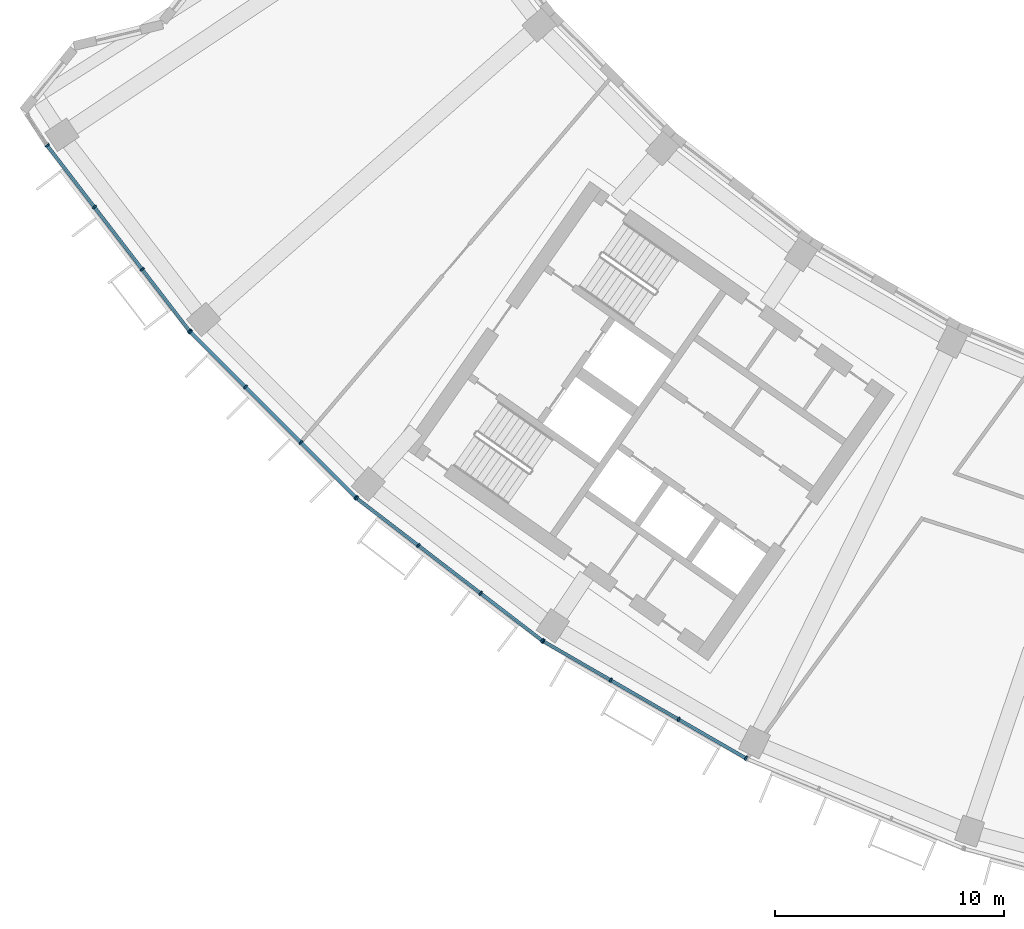
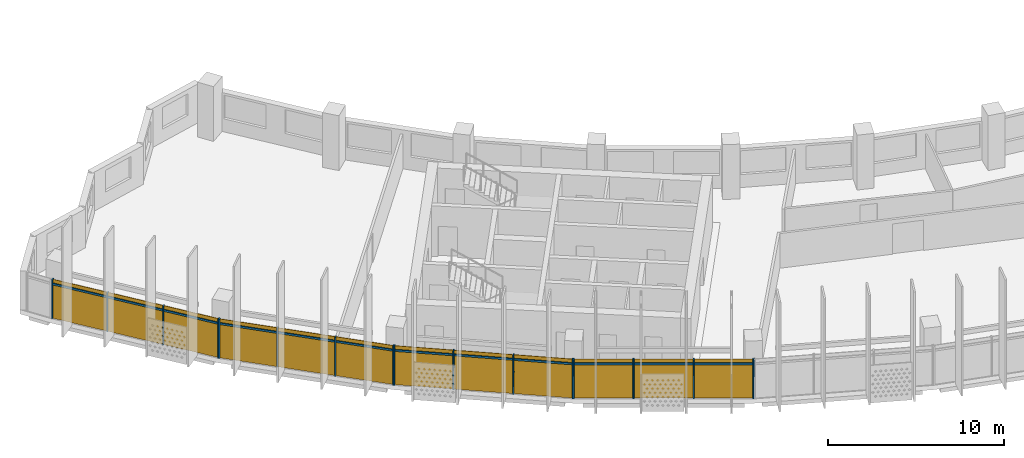
# One storey, part 17 of 27: 28 members, 4 curtain walls.
"""IFC4 building model written with IfcOpenShell, lengths in metres."""

import ifcopenshell
import ifcopenshell.guid

model = None  # the IFC model being written
_history = None  # IfcOwnerHistory: only IFC2X3 demands one
_inside = {}  # id of a spatial element -> (the spatial element, [elements in it])
_under = {}  # id of a project, library or spatial element -> (it, [spatial elements below it])
_declared = {}  # id of a project -> (the project, [libraries it declares])
_typed = {}  # id of a type object -> (the type object, [elements of that type])
_made_of = {}  # id of a material, layer set ... -> (it, [elements and type objects made of it])


def new_model(schema):
    """Start an empty IFC model of exactly this schema.

    Asked for "IFC4X3", IfcOpenShell would pick the latest addendum, in which some entities
    have other attributes; the version numbers below select the first issue.
    IFC2X3 requires an IfcOwnerHistory on every rooted entity: one is made here for all.
    """
    global model, _history
    if schema == "IFC4X3":
        model = ifcopenshell.file(schema_version=(4, 3, 0, 0))
    else:
        model = ifcopenshell.file(schema=schema)
    _inside.clear()
    _under.clear()
    _declared.clear()
    _typed.clear()
    _made_of.clear()
    _history = None
    if model.schema == "IFC2X3":
        org = make("IfcOrganization", Name="unknown")
        user = make(
            "IfcPersonAndOrganization",
            ThePerson=make("IfcPerson", FamilyName="unknown"),
            TheOrganization=org,
        )
        app = make(
            "IfcApplication",
            ApplicationDeveloper=org,
            Version="unknown",
            ApplicationFullName="unknown",
            ApplicationIdentifier="unknown",
        )
        _history = make(
            "IfcOwnerHistory",
            OwningUser=user,
            OwningApplication=app,
            ChangeAction="ADDED",
            CreationDate=0,
        )
    return model


def make(cls, **values):
    """One entity of the class cls with the attributes given. An attribute that is None is left unset."""
    return model.create_entity(
        cls, **{name: value for name, value in values.items() if value is not None}
    )


def rooted(cls, **values):
    """An entity with a GlobalId (a new one), such as an element, a storey or a relation."""
    return make(cls, GlobalId=ifcopenshell.guid.new(), OwnerHistory=_history, **values)


def si_unit(unit_type, name, prefix=None):
    """IfcSIUnit, for example si_unit("LENGTHUNIT", "METRE", prefix="MILLI")."""
    return make("IfcSIUnit", UnitType=unit_type, Prefix=prefix, Name=name)


def assignment(units):
    """IfcUnitAssignment: the units of a project."""
    return None if units is None else make("IfcUnitAssignment", Units=units)


def point(xyz):
    """IfcCartesianPoint."""
    return None if xyz is None else make("IfcCartesianPoint", Coordinates=xyz)


def direction(xyz):
    """IfcDirection."""
    return None if xyz is None else make("IfcDirection", DirectionRatios=xyz)


def frame(location, z_axis=None, x_axis=None):
    """IfcAxis2Placement3D, a coordinate frame: its origin and axes. An axis left out is left unset."""
    return make(
        "IfcAxis2Placement3D",
        Location=point(location),
        Axis=direction(z_axis),
        RefDirection=direction(x_axis),
    )


def frame_2d(location, x_axis=None):
    """IfcAxis2Placement2D, a coordinate frame in the plane: its origin and x axis."""
    return make(
        "IfcAxis2Placement2D", Location=point(location), RefDirection=direction(x_axis)
    )


def origin():
    """The frame at (0, 0, 0) with its axes left unset."""
    return frame((0.0, 0.0, 0.0))


def origin_2d():
    """The frame at (0, 0) in the plane with its x axis left unset."""
    return frame_2d((0.0, 0.0))


def place(relative_to, where):
    """IfcLocalPlacement: puts the frame where relative to a parent placement (None: the world)."""
    return make(
        "IfcLocalPlacement", PlacementRelTo=relative_to, RelativePlacement=where
    )


def context(
    kind, dimensions, precision=None, world=None, true_north=None, identifier=None
):
    """IfcGeometricRepresentationContext, for example the 3D "Model" context."""
    return make(
        "IfcGeometricRepresentationContext",
        ContextIdentifier=identifier,
        ContextType=kind,
        CoordinateSpaceDimension=dimensions,
        Precision=precision,
        WorldCoordinateSystem=world,
        TrueNorth=true_north,
    )


def subcontext(parent, identifier, kind, view, scale=None):
    """IfcGeometricRepresentationSubContext, for example "Body" below "Model"."""
    return make(
        "IfcGeometricRepresentationSubContext",
        ContextIdentifier=identifier,
        ContextType=kind,
        ParentContext=parent,
        TargetScale=scale,
        TargetView=view,
    )


def project(units=None, contexts=None):
    """IfcProject with its units and contexts."""
    return rooted(
        "IfcProject",
        Name="project",
        RepresentationContexts=contexts,
        UnitsInContext=assignment(units),
    )


def spatial(cls, under=None, at=None, **own):
    """A site, building, storey or space (cls), placed at a placement, below another one or the project."""
    s = rooted(cls, ObjectPlacement=at, **own)
    if under is not None:
        _under.setdefault(under.id(), (under, []))[1].append(s)
    return s


def profile(cls, at=None, kind="AREA", **sizes):
    """A parametric profile (cls). Its sizes go by their IFC names, for example OverallWidth=200.0."""
    return make(cls, ProfileType=kind, Position=at, **sizes)


def rectangle(**sizes):
    """IfcRectangleProfileDef."""
    return profile("IfcRectangleProfileDef", **sizes)


def extrude(swept, where, along, depth):
    """IfcExtrudedAreaSolid: the profile swept, set in the frame where, extruded along a direction by depth."""
    return make(
        "IfcExtrudedAreaSolid",
        SweptArea=swept,
        Position=where,
        ExtrudedDirection=direction(along),
        Depth=depth,
    )


def shape(context_of_items, identifier, shape_type, items):
    """IfcShapeRepresentation: the items that make up one representation, for example the "Body"."""
    return make(
        "IfcShapeRepresentation",
        ContextOfItems=context_of_items,
        RepresentationIdentifier=identifier,
        RepresentationType=shape_type,
        Items=items,
    )


def material(Name=None, Category=None):
    """IfcMaterial."""
    return make("IfcMaterial", Name=Name, Category=Category)


def material_profile(
    of_material, cross_section, Name=None, Category=None, Priority=None
):
    """IfcMaterialProfile: a cross section and its material."""
    return make(
        "IfcMaterialProfile",
        Name=Name,
        Material=of_material,
        Profile=cross_section,
        Priority=Priority,
        Category=Category,
    )


def profile_set(profiles, Name=None, composite=None):
    """IfcMaterialProfileSet."""
    return make(
        "IfcMaterialProfileSet",
        Name=Name,
        MaterialProfiles=profiles,
        CompositeProfile=composite,
    )


def made_of(thing, what):
    """Note that an element or type object is made of a material, layer set ...; save() writes the relation."""
    if what is not None:
        _made_of.setdefault(what.id(), (what, []))[1].append(thing)
    return thing


def type_object(cls, material=None, **own):
    """A type object (cls), such as IfcWallType, which elements share."""
    return made_of(rooted(cls, **own), material)


def element(
    cls,
    number,
    at=None,
    inside=None,
    cuts=None,
    type_object=None,
    material=None,
    context=None,
    identifier="Body",
    shape_type=None,
    held_by="IfcProductDefinitionShape",
    body=None,
    shapes=None,
    **own,
):
    """One element of the class cls, such as IfcWall. Its Tag is "e" and its number.

    at: its placement. inside: the storey or other place that contains it. cuts: it is an
    opening in that element (IfcRelVoidsElement). A single representation is given by context,
    identifier, shape_type and body (its items); several are given by shapes. held_by: the class
    of the entity that holds the representations. save() writes the other relations.
    """
    e = rooted(cls, Tag="e%d" % number, ObjectPlacement=at, **own)
    if body is not None:
        shapes = [shape(context, identifier, shape_type, body)]
    if shapes is not None:
        e.Representation = make(held_by, Representations=shapes)
    if inside is not None:
        _inside.setdefault(inside.id(), (inside, []))[1].append(e)
    if cuts is not None:
        rooted(
            "IfcRelVoidsElement", RelatingBuildingElement=cuts, RelatedOpeningElement=e
        )
    if type_object is not None:
        _typed.setdefault(type_object.id(), (type_object, []))[1].append(e)
    return made_of(e, material)


def aggregate(whole, parts):
    """IfcRelAggregates: a whole, such as a stair, and the parts it consists of."""
    return rooted("IfcRelAggregates", RelatingObject=whole, RelatedObjects=parts)


def save(model, path):
    """Write the relations noted so far, then the file.

    IfcRelAggregates (storeys below a building ...), IfcRelContainedInSpatialStructure (elements
    in a storey), IfcRelDefinesByType, IfcRelAssociatesMaterial and IfcRelDeclares: one each for
    every whole, place, type object, material and project.
    """
    for whole, parts in _under.values():
        aggregate(whole, parts)
    for where, things in _inside.values():
        rooted(
            "IfcRelContainedInSpatialStructure",
            RelatedElements=things,
            RelatingStructure=where,
        )
    for kind, things in _typed.values():
        rooted("IfcRelDefinesByType", RelatedObjects=things, RelatingType=kind)
    for what, things in _made_of.values():
        rooted("IfcRelAssociatesMaterial", RelatedObjects=things, RelatingMaterial=what)
    for by, libraries in _declared.values():
        rooted("IfcRelDeclares", RelatingContext=by, RelatedDefinitions=libraries)
    model.write(path)


model = new_model("IFC4")

# Units and contexts
model_context = context("Model", 3, precision=1e-05, world=origin(), true_north=direction((0.0, 1.0)))
body_context = subcontext(model_context, "Body", "Model", "MODEL_VIEW")
ifc_project = project(units=[si_unit("LENGTHUNIT", "METRE"), si_unit("AREAUNIT", "SQUARE_METRE"), si_unit("VOLUMEUNIT", "CUBIC_METRE"), si_unit("PLANEANGLEUNIT", "RADIAN"), si_unit("MASSUNIT", "GRAM", prefix="KILO")], contexts=[model_context])

# Member
ifc_material = material(Name="Aluminium 6063-T6 anodised", Category="aluminium")
ifc_material_profile_1 = material_profile(ifc_material, rectangle(XDim=0.199951171875, YDim=0.070068359375, at=origin_2d()))
ifc_profile_set_1 = profile_set([ifc_material_profile_1], Name="Aluminium 6063-T6 anodised")
member_type_1 = type_object("IfcMemberType", Name="Mullion 70 x 200 aluminium", PredefinedType="MULLION", material=ifc_profile_set_1)
site_placement = place(None, origin())
building_placement = place(site_placement, origin())
storey_placement = place(building_placement, frame((0.0, 0.0, 211.300048828125)))
member_1_placement = place(storey_placement, frame((-65.29443359375, -43.66259765625, 0.0), z_axis=(0.0, 0.0, 1.0), x_axis=(0.793353340291, 0.608761429009, 0.0)))
member_1 = element("IfcMember", 1, at=member_1_placement, type_object=member_type_1, Name="e-cw1-L50-out01/M00", PredefinedType="MULLION", context=body_context, shape_type="SweptSolid", body=[
    extrude(rectangle(XDim=0.199951171875, YDim=0.070068359375, at=origin_2d()), origin(), (0.0, 0.0, 1.0), 2.699951171875),
])

member_2_placement = place(storey_placement, frame((-63.22802734375, -46.35546875, 0.0), z_axis=(0.0, 0.0, 1.0), x_axis=(0.793353340291, 0.608761429009, 0.0)))
member_2 = element("IfcMember", 2, at=member_2_placement, type_object=member_type_1, Name="e-cw1-L50-out01/M01", PredefinedType="MULLION", context=body_context, shape_type="SweptSolid", body=[
    extrude(rectangle(XDim=0.199951171875, YDim=0.070068359375, at=origin_2d()), origin(), (0.0, 0.0, 1.0), 2.699951171875),
])

member_3_placement = place(storey_placement, frame((-61.140380859375, -49.075927734375, 0.0), z_axis=(0.0, 0.0, 1.0), x_axis=(0.793353340291, 0.608761429009, 0.0)))
member_3 = element("IfcMember", 3, at=member_3_placement, type_object=member_type_1, Name="e-cw1-L50-out01/M02", PredefinedType="MULLION", context=body_context, shape_type="SweptSolid", body=[
    extrude(rectangle(XDim=0.199951171875, YDim=0.070068359375, at=origin_2d()), origin(), (0.0, 0.0, 1.0), 2.699951171875),
])

member_4_placement = place(storey_placement, frame((-59.07421875, -51.768798828125, 0.0), z_axis=(0.0, 0.0, 1.0), x_axis=(0.793353340291, 0.608761429009, 0.0)))
member_4 = element("IfcMember", 4, at=member_4_placement, type_object=member_type_1, Name="e-cw1-L50-out01/M03", PredefinedType="MULLION", context=body_context, shape_type="SweptSolid", body=[
    extrude(rectangle(XDim=0.199951171875, YDim=0.070068359375, at=origin_2d()), origin(), (0.0, 0.0, 1.0), 2.699951171875),
])

member_5_placement = place(storey_placement, frame((-59.03662109375, -51.8115234375, 0.0), z_axis=(0.0, 0.0, 1.0), x_axis=(0.707106781187, 0.707106781187, 0.0)))
member_5 = element("IfcMember", 5, at=member_5_placement, type_object=member_type_1, Name="e-cw1-L50-out02/M00", PredefinedType="MULLION", context=body_context, shape_type="SweptSolid", body=[
    extrude(rectangle(XDim=0.199951171875, YDim=0.070068359375, at=origin_2d()), origin(), (0.0, 0.0, 1.0), 2.699951171875),
])

member_6_placement = place(storey_placement, frame((-56.63671875, -54.211669921875, 0.0), z_axis=(0.0, 0.0, 1.0), x_axis=(0.707106781187, 0.707106781187, 0.0)))
member_6 = element("IfcMember", 6, at=member_6_placement, type_object=member_type_1, Name="e-cw1-L50-out02/M01", PredefinedType="MULLION", context=body_context, shape_type="SweptSolid", body=[
    extrude(rectangle(XDim=0.199951171875, YDim=0.070068359375, at=origin_2d()), origin(), (0.0, 0.0, 1.0), 2.699951171875),
])

member_7_placement = place(storey_placement, frame((-54.211669921875, -56.63671875, 0.0), z_axis=(0.0, 0.0, 1.0), x_axis=(0.707106781187, 0.707106781187, 0.0)))
member_7 = element("IfcMember", 7, at=member_7_placement, type_object=member_type_1, Name="e-cw1-L50-out02/M02", PredefinedType="MULLION", context=body_context, shape_type="SweptSolid", body=[
    extrude(rectangle(XDim=0.199951171875, YDim=0.070068359375, at=origin_2d()), origin(), (0.0, 0.0, 1.0), 2.699951171875),
])

member_8_placement = place(storey_placement, frame((-51.8115234375, -59.03662109375, 0.0), z_axis=(0.0, 0.0, 1.0), x_axis=(0.707106781187, 0.707106781187, 0.0)))
member_8 = element("IfcMember", 8, at=member_8_placement, type_object=member_type_1, Name="e-cw1-L50-out02/M03", PredefinedType="MULLION", context=body_context, shape_type="SweptSolid", body=[
    extrude(rectangle(XDim=0.199951171875, YDim=0.070068359375, at=origin_2d()), origin(), (0.0, 0.0, 1.0), 2.699951171875),
])

member_9_placement = place(storey_placement, frame((-51.768798828125, -59.07421875, 0.0), z_axis=(0.0, 0.0, 1.0), x_axis=(0.608761429009, 0.793353340291, 0.0)))
member_9 = element("IfcMember", 9, at=member_9_placement, type_object=member_type_1, Name="e-cw1-L50-out03/M00", PredefinedType="MULLION", context=body_context, shape_type="SweptSolid", body=[
    extrude(rectangle(XDim=0.199951171875, YDim=0.070068359375, at=origin_2d()), origin(), (0.0, 0.0, 1.0), 2.699951171875),
])

member_10_placement = place(storey_placement, frame((-49.075927734375, -61.140380859375, 0.0), z_axis=(0.0, 0.0, 1.0), x_axis=(0.608761429009, 0.793353340291, 0.0)))
member_10 = element("IfcMember", 10, at=member_10_placement, type_object=member_type_1, Name="e-cw1-L50-out03/M01", PredefinedType="MULLION", context=body_context, shape_type="SweptSolid", body=[
    extrude(rectangle(XDim=0.199951171875, YDim=0.070068359375, at=origin_2d()), origin(), (0.0, 0.0, 1.0), 2.699951171875),
])

member_11_placement = place(storey_placement, frame((-46.35546875, -63.22802734375, 0.0), z_axis=(0.0, 0.0, 1.0), x_axis=(0.608761429009, 0.793353340291, 0.0)))
member_11 = element("IfcMember", 11, at=member_11_placement, type_object=member_type_1, Name="e-cw1-L50-out03/M02", PredefinedType="MULLION", context=body_context, shape_type="SweptSolid", body=[
    extrude(rectangle(XDim=0.199951171875, YDim=0.070068359375, at=origin_2d()), origin(), (0.0, 0.0, 1.0), 2.699951171875),
])

member_12_placement = place(storey_placement, frame((-43.66259765625, -65.29443359375, 0.0), z_axis=(0.0, 0.0, 1.0), x_axis=(0.608761429009, 0.793353340291, 0.0)))
member_12 = element("IfcMember", 12, at=member_12_placement, type_object=member_type_1, Name="e-cw1-L50-out03/M03", PredefinedType="MULLION", context=body_context, shape_type="SweptSolid", body=[
    extrude(rectangle(XDim=0.199951171875, YDim=0.070068359375, at=origin_2d()), origin(), (0.0, 0.0, 1.0), 2.699951171875),
])

member_13_placement = place(storey_placement, frame((-43.615234375, -65.325927734375, 0.0), z_axis=(0.0, 0.0, 1.0), x_axis=(0.5, 0.866025403784, 0.0)))
member_13 = element("IfcMember", 13, at=member_13_placement, type_object=member_type_1, Name="e-cw1-L50-out04/M00", PredefinedType="MULLION", context=body_context, shape_type="SweptSolid", body=[
    extrude(rectangle(XDim=0.199951171875, YDim=0.070068359375, at=origin_2d()), origin(), (0.0, 0.0, 1.0), 2.699951171875),
])

member_14_placement = place(storey_placement, frame((-40.67578125, -67.023193359375, 0.0), z_axis=(0.0, 0.0, 1.0), x_axis=(0.5, 0.866025403784, 0.0)))
member_14 = element("IfcMember", 14, at=member_14_placement, type_object=member_type_1, Name="e-cw1-L50-out04/M01", PredefinedType="MULLION", context=body_context, shape_type="SweptSolid", body=[
    extrude(rectangle(XDim=0.199951171875, YDim=0.070068359375, at=origin_2d()), origin(), (0.0, 0.0, 1.0), 2.699951171875),
])

member_15_placement = place(storey_placement, frame((-37.705810546875, -68.73779296875, 0.0), z_axis=(0.0, 0.0, 1.0), x_axis=(0.5, 0.866025403784, 0.0)))
member_15 = element("IfcMember", 15, at=member_15_placement, type_object=member_type_1, Name="e-cw1-L50-out04/M02", PredefinedType="MULLION", context=body_context, shape_type="SweptSolid", body=[
    extrude(rectangle(XDim=0.199951171875, YDim=0.070068359375, at=origin_2d()), origin(), (0.0, 0.0, 1.0), 2.699951171875),
])

member_16_placement = place(storey_placement, frame((-34.766357421875, -70.43505859375, 0.0), z_axis=(0.0, 0.0, 1.0), x_axis=(0.5, 0.866025403784, 0.0)))
member_16 = element("IfcMember", 16, at=member_16_placement, type_object=member_type_1, Name="e-cw1-L50-out04/M03", PredefinedType="MULLION", context=body_context, shape_type="SweptSolid", body=[
    extrude(rectangle(XDim=0.199951171875, YDim=0.070068359375, at=origin_2d()), origin(), (0.0, 0.0, 1.0), 2.699951171875),
])

ifc_material_profile_2 = material_profile(ifc_material, rectangle(XDim=0.139892578125, YDim=0.1201171875, at=origin_2d()))
ifc_profile_set_2 = profile_set([ifc_material_profile_2], Name="Aluminium 6063-T6 anodised")
member_type_2 = type_object("IfcMemberType", Name="Transom 120 x 140 aluminium", PredefinedType="USERDEFINED", material=ifc_profile_set_2)
member_17_placement = place(storey_placement, frame((-65.273193359375, -43.690185546875, 2.39990234375), z_axis=(0.608741393132, -0.793368713958, 0.0), x_axis=(0.793368713958, 0.608741393132, 0.0)))
member_17 = element("IfcMember", 17, at=member_17_placement, type_object=member_type_2, Name="e-cw1-L50-out01/T00", ObjectType="TRANSOM", PredefinedType="USERDEFINED", context=body_context, shape_type="SweptSolid", body=[
    extrude(rectangle(XDim=0.139892578125, YDim=0.1201171875, at=origin_2d()), origin(), (0.0, 0.0, 1.0), 3.324462890625),
])

member_18_placement = place(storey_placement, frame((-63.206787109375, -46.383056640625, 2.39990234375), z_axis=(0.608719861247, -0.793385234627, 0.0), x_axis=(0.793385234627, 0.608719861247, 0.0)))
member_18 = element("IfcMember", 18, at=member_18_placement, type_object=member_type_2, Name="e-cw1-L50-out01/T01", ObjectType="TRANSOM", PredefinedType="USERDEFINED", context=body_context, shape_type="SweptSolid", body=[
    extrude(rectangle(XDim=0.139892578125, YDim=0.1201171875, at=origin_2d()), origin(), (0.0, 0.0, 1.0), 3.359375),
])

member_19_placement = place(storey_placement, frame((-61.119140625, -49.103759765625, 2.39990234375), z_axis=(0.608741393132, -0.793368713958, 0.0), x_axis=(0.793368713958, 0.608741393132, 0.0)))
member_19 = element("IfcMember", 19, at=member_19_placement, type_object=member_type_2, Name="e-cw1-L50-out01/T02", ObjectType="TRANSOM", PredefinedType="USERDEFINED", context=body_context, shape_type="SweptSolid", body=[
    extrude(rectangle(XDim=0.139892578125, YDim=0.1201171875, at=origin_2d()), origin(), (0.0, 0.0, 1.0), 3.324462890625),
])

member_20_placement = place(storey_placement, frame((-59.011962890625, -51.83642578125, 2.39990234375), z_axis=(0.707106781187, -0.707106781187, 0.0), x_axis=(0.707106781187, 0.707106781187, 0.0)))
member_20 = element("IfcMember", 20, at=member_20_placement, type_object=member_type_2, Name="e-cw1-L50-out02/T00", ObjectType="TRANSOM", PredefinedType="USERDEFINED", context=body_context, shape_type="SweptSolid", body=[
    extrude(rectangle(XDim=0.139892578125, YDim=0.1201171875, at=origin_2d()), origin(), (0.0, 0.0, 1.0), 3.32421875),
])

member_21_placement = place(storey_placement, frame((-56.61181640625, -54.236572265625, 2.39990234375), z_axis=(0.707106781187, -0.707106781187, 0.0), x_axis=(0.707106781187, 0.707106781187, 0.0)))
member_21 = element("IfcMember", 21, at=member_21_placement, type_object=member_type_2, Name="e-cw1-L50-out02/T01", ObjectType="TRANSOM", PredefinedType="USERDEFINED", context=body_context, shape_type="SweptSolid", body=[
    extrude(rectangle(XDim=0.139892578125, YDim=0.1201171875, at=origin_2d()), origin(), (0.0, 0.0, 1.0), 3.359130859375),
])

member_22_placement = place(storey_placement, frame((-54.18701171875, -56.661376953125, 2.39990234375), z_axis=(0.707106781187, -0.707106781187, 0.0), x_axis=(0.707106781187, 0.707106781187, 0.0)))
member_22 = element("IfcMember", 22, at=member_22_placement, type_object=member_type_2, Name="e-cw1-L50-out02/T02", ObjectType="TRANSOM", PredefinedType="USERDEFINED", context=body_context, shape_type="SweptSolid", body=[
    extrude(rectangle(XDim=0.139892578125, YDim=0.1201171875, at=origin_2d()), origin(), (0.0, 0.0, 1.0), 3.32421875),
])

member_23_placement = place(storey_placement, frame((-51.7412109375, -59.095458984375, 2.39990234375), z_axis=(0.793368713958, -0.608741393132, 0.0), x_axis=(0.608741393132, 0.793368713958, 0.0)))
member_23 = element("IfcMember", 23, at=member_23_placement, type_object=member_type_2, Name="e-cw1-L50-out03/T00", ObjectType="TRANSOM", PredefinedType="USERDEFINED", context=body_context, shape_type="SweptSolid", body=[
    extrude(rectangle(XDim=0.139892578125, YDim=0.1201171875, at=origin_2d()), origin(), (0.0, 0.0, 1.0), 3.324462890625),
])

member_24_placement = place(storey_placement, frame((-49.04833984375, -61.161865234375, 2.39990234375), z_axis=(0.793385234627, -0.608719861247, 0.0), x_axis=(0.608719861247, 0.793385234627, 0.0)))
member_24 = element("IfcMember", 24, at=member_24_placement, type_object=member_type_2, Name="e-cw1-L50-out03/T01", ObjectType="TRANSOM", PredefinedType="USERDEFINED", context=body_context, shape_type="SweptSolid", body=[
    extrude(rectangle(XDim=0.139892578125, YDim=0.1201171875, at=origin_2d()), origin(), (0.0, 0.0, 1.0), 3.359375),
])

member_25_placement = place(storey_placement, frame((-46.32763671875, -63.24951171875, 2.39990234375), z_axis=(0.793368713958, -0.608741393132, 0.0), x_axis=(0.608741393132, 0.793368713958, 0.0)))
member_25 = element("IfcMember", 25, at=member_25_placement, type_object=member_type_2, Name="e-cw1-L50-out03/T02", ObjectType="TRANSOM", PredefinedType="USERDEFINED", context=body_context, shape_type="SweptSolid", body=[
    extrude(rectangle(XDim=0.139892578125, YDim=0.1201171875, at=origin_2d()), origin(), (0.0, 0.0, 1.0), 3.324462890625),
])

member_26_placement = place(storey_placement, frame((-43.5849609375, -65.343505859375, 2.39990234375), z_axis=(0.866029041019, -0.499993700073, 0.0), x_axis=(0.499993700073, 0.866029041019, 0.0)))
member_26 = element("IfcMember", 26, at=member_26_placement, type_object=member_type_2, Name="e-cw1-L50-out04/T00", ObjectType="TRANSOM", PredefinedType="USERDEFINED", context=body_context, shape_type="SweptSolid", body=[
    extrude(rectangle(XDim=0.139892578125, YDim=0.1201171875, at=origin_2d()), origin(), (0.0, 0.0, 1.0), 3.32421875),
])

member_27_placement = place(storey_placement, frame((-40.6455078125, -67.04052734375, 2.39990234375), z_axis=(0.866034314054, -0.499984566643, 0.0), x_axis=(0.499984566643, 0.866034314054, 0.0)))
member_27 = element("IfcMember", 27, at=member_27_placement, type_object=member_type_2, Name="e-cw1-L50-out04/T01", ObjectType="TRANSOM", PredefinedType="USERDEFINED", context=body_context, shape_type="SweptSolid", body=[
    extrude(rectangle(XDim=0.139892578125, YDim=0.1201171875, at=origin_2d()), origin(), (0.0, 0.0, 1.0), 3.359375),
])

member_28_placement = place(storey_placement, frame((-37.675537109375, -68.75537109375, 2.39990234375), z_axis=(0.866029041019, -0.499993700073, 0.0), x_axis=(0.499993700073, 0.866029041019, 0.0)))
member_28 = element("IfcMember", 28, at=member_28_placement, type_object=member_type_2, Name="e-cw1-L50-out04/T02", ObjectType="TRANSOM", PredefinedType="USERDEFINED", context=body_context, shape_type="SweptSolid", body=[
    extrude(rectangle(XDim=0.139892578125, YDim=0.1201171875, at=origin_2d()), origin(), (0.0, 0.0, 1.0), 3.32421875),
])

# Site, building, storey
site = spatial("IfcSite", under=ifc_project, at=site_placement, CompositionType="ELEMENT")
building = spatial("IfcBuilding", under=site, at=building_placement, Name="Qamariyya Broadcast Tower", CompositionType="ELEMENT")
storey = spatial("IfcBuildingStorey", under=building, at=storey_placement, Name="L50", CompositionType="ELEMENT", Elevation=211.300048828125)

# Curtain wall
curtain_wall_type = type_object("IfcCurtainWallType", Name="Unitised curtain wall, anodised aluminium", PredefinedType="NOTDEFINED", material=ifc_material)
curtain_wall_1_placement = place(storey_placement, origin())
curtain_wall_1 = element("IfcCurtainWall", 29, at=curtain_wall_1_placement, inside=storey, type_object=curtain_wall_type, Name="e-cw1-L50-out01", PredefinedType="NOTDEFINED", context=body_context, shape_type="SweptSolid", body=[
    extrude(rectangle(XDim=3.32421875, YDim=0.031982421875, at=origin_2d()), frame((-64.26123046875, -45.009033203125, 0.0), x_axis=(0.608753833159, -0.793359168734, 0.0)), (0.0, 0.0, 1.0), 2.340087890625),
    extrude(rectangle(XDim=3.32421875, YDim=0.031982421875, at=origin_2d()), frame((-64.26123046875, -45.009033203125, 2.4599609375), x_axis=(0.608753833159, -0.793359168734, 0.0)), (0.0, 0.0, 1.0), 0.239990234375),
    extrude(rectangle(XDim=3.359130859375, YDim=0.031982421875, at=origin_2d()), frame((-62.184326171875, -47.7158203125, 0.0), x_axis=(0.608753833159, -0.793359168734, 0.0)), (0.0, 0.0, 1.0), 2.340087890625),
    extrude(rectangle(XDim=3.359130859375, YDim=0.031982421875, at=origin_2d()), frame((-62.184326171875, -47.7158203125, 2.4599609375), x_axis=(0.608753833159, -0.793359168734, 0.0)), (0.0, 0.0, 1.0), 0.239990234375),
    extrude(rectangle(XDim=3.32421875, YDim=0.031982421875, at=origin_2d()), frame((-60.107421875, -50.42236328125, 0.0), x_axis=(0.608753833159, -0.793359168734, 0.0)), (0.0, 0.0, 1.0), 2.340087890625),
    extrude(rectangle(XDim=3.32421875, YDim=0.031982421875, at=origin_2d()), frame((-60.107421875, -50.42236328125, 2.4599609375), x_axis=(0.608753833159, -0.793359168734, 0.0)), (0.0, 0.0, 1.0), 0.239990234375),
])

aggregate(curtain_wall_1, [member_1, member_2, member_3, member_4, member_17, member_18, member_19])

curtain_wall_2_placement = place(storey_placement, origin())
curtain_wall_2 = element("IfcCurtainWall", 30, at=curtain_wall_2_placement, inside=storey, type_object=curtain_wall_type, Name="e-cw1-L50-out02", PredefinedType="NOTDEFINED", context=body_context, shape_type="SweptSolid", body=[
    extrude(rectangle(XDim=3.32421875, YDim=0.031982421875, at=origin_2d()), frame((-57.836669921875, -53.01171875, 0.0), x_axis=(0.707106781187, -0.707106781187, 0.0)), (0.0, 0.0, 1.0), 2.340087890625),
    extrude(rectangle(XDim=3.32421875, YDim=0.031982421875, at=origin_2d()), frame((-57.836669921875, -53.01171875, 2.4599609375), x_axis=(0.707106781187, -0.707106781187, 0.0)), (0.0, 0.0, 1.0), 0.239990234375),
    extrude(rectangle(XDim=3.359375, YDim=0.031982421875, at=origin_2d()), frame((-55.42431640625, -55.42431640625, 0.0), x_axis=(0.707106781187, -0.707106781187, 0.0)), (0.0, 0.0, 1.0), 2.340087890625),
    extrude(rectangle(XDim=3.359375, YDim=0.031982421875, at=origin_2d()), frame((-55.42431640625, -55.42431640625, 2.4599609375), x_axis=(0.707106781187, -0.707106781187, 0.0)), (0.0, 0.0, 1.0), 0.239990234375),
    extrude(rectangle(XDim=3.32421875, YDim=0.031982421875, at=origin_2d()), frame((-53.01171875, -57.836669921875, 0.0), x_axis=(0.707106781187, -0.707106781187, 0.0)), (0.0, 0.0, 1.0), 2.340087890625),
    extrude(rectangle(XDim=3.32421875, YDim=0.031982421875, at=origin_2d()), frame((-53.01171875, -57.836669921875, 2.4599609375), x_axis=(0.707106781187, -0.707106781187, 0.0)), (0.0, 0.0, 1.0), 0.239990234375),
])

aggregate(curtain_wall_2, [member_5, member_6, member_7, member_8, member_20, member_21, member_22])

curtain_wall_3_placement = place(storey_placement, origin())
curtain_wall_3 = element("IfcCurtainWall", 31, at=curtain_wall_3_placement, inside=storey, type_object=curtain_wall_type, Name="e-cw1-L50-out03", PredefinedType="NOTDEFINED", context=body_context, shape_type="SweptSolid", body=[
    extrude(rectangle(XDim=3.32421875, YDim=0.031982421875, at=origin_2d()), frame((-50.42236328125, -60.107421875, 0.0), x_axis=(0.793359168734, -0.608753833159, 0.0)), (0.0, 0.0, 1.0), 2.340087890625),
    extrude(rectangle(XDim=3.32421875, YDim=0.031982421875, at=origin_2d()), frame((-50.42236328125, -60.107421875, 2.4599609375), x_axis=(0.793359168734, -0.608753833159, 0.0)), (0.0, 0.0, 1.0), 0.239990234375),
    extrude(rectangle(XDim=3.359130859375, YDim=0.031982421875, at=origin_2d()), frame((-47.7158203125, -62.184326171875, 0.0), x_axis=(0.793359168734, -0.608753833159, 0.0)), (0.0, 0.0, 1.0), 2.340087890625),
    extrude(rectangle(XDim=3.359130859375, YDim=0.031982421875, at=origin_2d()), frame((-47.7158203125, -62.184326171875, 2.4599609375), x_axis=(0.793359168734, -0.608753833159, 0.0)), (0.0, 0.0, 1.0), 0.239990234375),
    extrude(rectangle(XDim=3.32421875, YDim=0.031982421875, at=origin_2d()), frame((-45.009033203125, -64.26123046875, 0.0), x_axis=(0.793359168734, -0.608753833159, 0.0)), (0.0, 0.0, 1.0), 2.340087890625),
    extrude(rectangle(XDim=3.32421875, YDim=0.031982421875, at=origin_2d()), frame((-45.009033203125, -64.26123046875, 2.4599609375), x_axis=(0.793359168734, -0.608753833159, 0.0)), (0.0, 0.0, 1.0), 0.239990234375),
])

aggregate(curtain_wall_3, [member_9, member_10, member_11, member_12, member_23, member_24, member_25])

curtain_wall_4_placement = place(storey_placement, origin())
curtain_wall_4 = element("IfcCurtainWall", 32, at=curtain_wall_4_placement, inside=storey, type_object=curtain_wall_type, Name="e-cw1-L50-out04", PredefinedType="NOTDEFINED", context=body_context, shape_type="SweptSolid", body=[
    extrude(rectangle(XDim=3.32421875, YDim=0.031982421875, at=origin_2d()), frame((-42.1455078125, -66.174560546875, 0.0), x_axis=(0.866027904674, -0.499995668308, 0.0)), (0.0, 0.0, 1.0), 2.340087890625),
    extrude(rectangle(XDim=3.32421875, YDim=0.031982421875, at=origin_2d()), frame((-42.1455078125, -66.174560546875, 2.4599609375), x_axis=(0.866027904674, -0.499995668308, 0.0)), (0.0, 0.0, 1.0), 0.239990234375),
    extrude(rectangle(XDim=3.359130859375, YDim=0.031982421875, at=origin_2d()), frame((-39.19091796875, -67.88037109375, 0.0), x_axis=(0.866027904674, -0.499995668308, 0.0)), (0.0, 0.0, 1.0), 2.340087890625),
    extrude(rectangle(XDim=3.359130859375, YDim=0.031982421875, at=origin_2d()), frame((-39.19091796875, -67.88037109375, 2.4599609375), x_axis=(0.866027904674, -0.499995668308, 0.0)), (0.0, 0.0, 1.0), 0.239990234375),
    extrude(rectangle(XDim=3.32421875, YDim=0.031982421875, at=origin_2d()), frame((-36.236083984375, -69.58642578125, 0.0), x_axis=(0.866027904674, -0.499995668308, 0.0)), (0.0, 0.0, 1.0), 2.340087890625),
    extrude(rectangle(XDim=3.32421875, YDim=0.031982421875, at=origin_2d()), frame((-36.236083984375, -69.58642578125, 2.4599609375), x_axis=(0.866027904674, -0.499995668308, 0.0)), (0.0, 0.0, 1.0), 0.239990234375),
])

aggregate(curtain_wall_4, [member_13, member_14, member_15, member_16, member_26, member_27, member_28])

save(model, "model.ifc")
